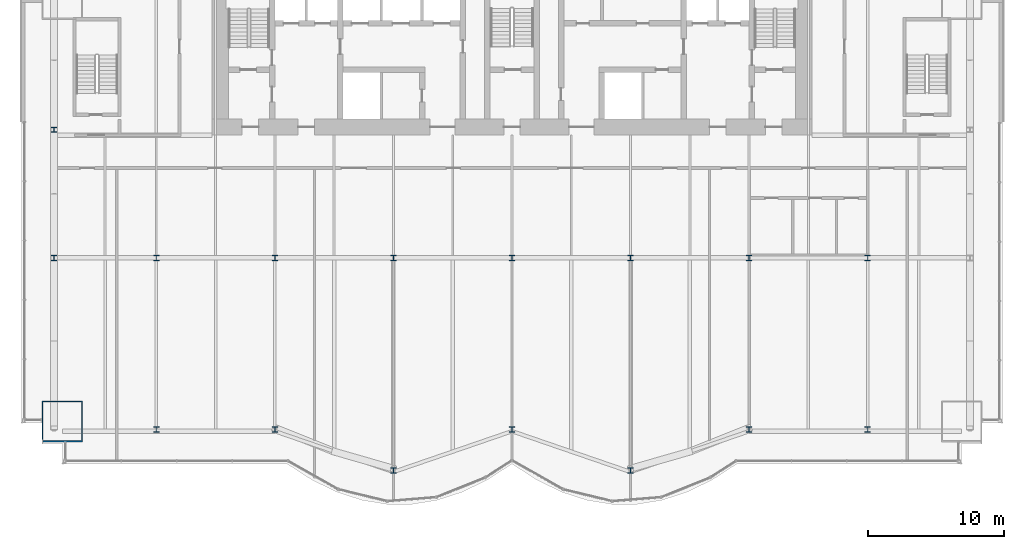
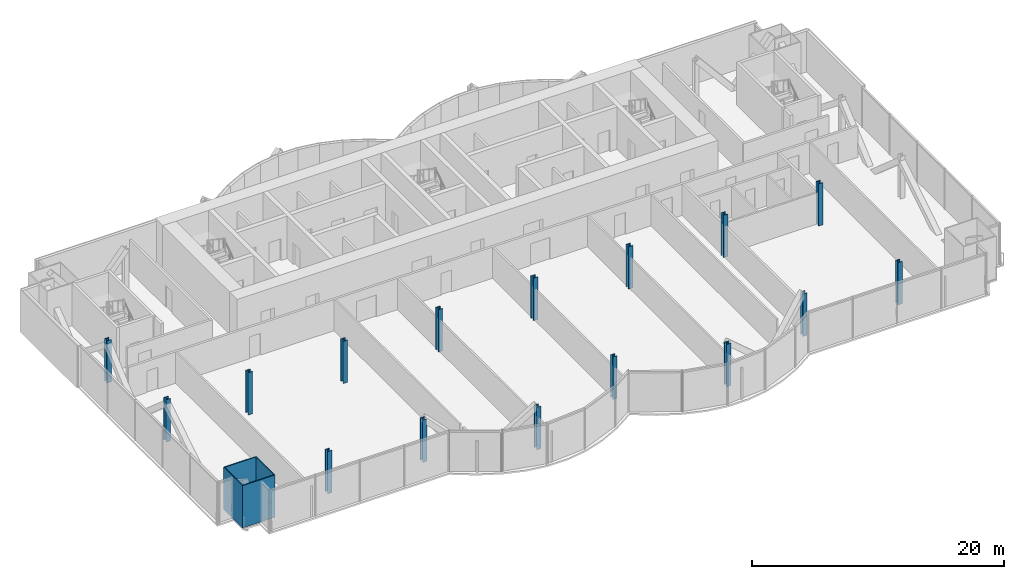
# One storey, part 1 of 21: 17 columns.
"""IFC4 building model written with IfcOpenShell, lengths in metres."""

from ifc_helpers import new_model, si_unit, direction, frame, origin, origin_2d, place, context, subcontext, project, spatial, hollow_rectangle, i_section, extrude, material, material_profile, profile_set, type_object, element, save


model = new_model("IFC4")

# Units and contexts
model_context = context("Model", 3, precision=1e-05, world=origin(), true_north=direction((0.0, 1.0)))
body_context = subcontext(model_context, "Body", "Model", "MODEL_VIEW")
ifc_project = project(units=[si_unit("LENGTHUNIT", "METRE"), si_unit("AREAUNIT", "SQUARE_METRE"), si_unit("VOLUMEUNIT", "CUBIC_METRE"), si_unit("PLANEANGLEUNIT", "RADIAN"), si_unit("MASSUNIT", "GRAM", prefix="KILO")], contexts=[model_context])

# Site, building, storey
site_placement = place(None, origin())
site = spatial("IfcSite", under=ifc_project, at=site_placement, CompositionType="ELEMENT")
building_placement = place(site_placement, origin())
building = spatial("IfcBuilding", under=site, at=building_placement, Name="Bicima Exchange Tower", CompositionType="ELEMENT")
storey_placement = place(building_placement, frame((0.0, 0.0, 122.699951171875)))
storey = spatial("IfcBuildingStorey", under=building, at=storey_placement, Name="L26", CompositionType="ELEMENT", Elevation=122.699951171875)

# Columns
ifc_material_1 = material(Name="Steel ASTM A992 Gr 50", Category="steel")
ifc_material_profile_1 = material_profile(ifc_material_1, i_section(OverallWidth=0.406494140625, OverallDepth=0.41650390625, WebThickness=0.030029296875, FlangeThickness=0.048095703125, at=origin_2d()))
ifc_profile_set_1 = profile_set([ifc_material_profile_1], Name="Steel ASTM A992 Gr 50")
column_type_1 = type_object("IfcColumnType", Name="Interior column W14x257", PredefinedType="COLUMN", material=ifc_profile_set_1)
for number, where, z_axis, x_axis, name in (
    (1, (-26.10009765625, -22.0, 0.0), (0.0, 0.0, 1.0), (1.0, 0.0, 0.0), "Interior column interior-26.1i"),
    (2, (-17.39990234375, -22.0, 0.0), (0.0, 0.0, 1.0), (1.0, 0.0, 0.0), "Interior column interior-17.4i"),
    (3, (-8.699951171875, -22.0, 0.0), (0.0, 0.0, 1.0), (1.0, 0.0, 0.0), "Interior column interior-8.7i"),
    (4, (0.0, -22.0, 0.0), (0.0, 0.0, 1.0), (1.0, 0.0, 0.0), "Interior column interior+0.0i"),
    (5, (8.699951171875, -22.0, 0.0), (0.0, 0.0, 1.0), (1.0, 0.0, 0.0), "Interior column interior+8.7i"),
    (6, (17.39990234375, -22.0, 0.0), (0.0, 0.0, 1.0), (1.0, 0.0, 0.0), "Interior column interior+17.4i"),
    (7, (26.10009765625, -22.0, 0.0), (0.0, 0.0, 1.0), (1.0, 0.0, 0.0), "Interior column interior+26.1i"),
):
    element("IfcColumn", number, at=place(storey_placement, frame(where, z_axis=z_axis, x_axis=x_axis)), inside=storey, type_object=column_type_1, Name=name, PredefinedType="COLUMN", context=body_context, shape_type="SweptSolid", body=[
        extrude(i_section(OverallWidth=0.406494140625, OverallDepth=0.41650390625, WebThickness=0.030029296875, FlangeThickness=0.048095703125, at=origin_2d()), origin(), (0.0, 0.0, 1.0), 4.10009765625),
    ])
ifc_material_2 = material(Name="Steel ASTM A572 Gr 50", Category="steel")
ifc_material_profile_2 = material_profile(ifc_material_2, hollow_rectangle(XDim=3.0, YDim=3.0, WallThickness=0.090087890625, at=origin_2d()))
ifc_profile_set_2 = profile_set([ifc_material_profile_2], Name="Steel ASTM A572 Gr 50")
column_type_2 = type_object("IfcColumnType", Name="Mega column BOX 3000x3000x90", PredefinedType="COLUMN", material=ifc_profile_set_2)
column_placement = place(storey_placement, frame((-33.0, -33.998046875, 0.0), z_axis=(0.0, 0.0, 1.0), x_axis=(1.0, 0.0, 0.0)))
element("IfcColumn", 8, at=column_placement, inside=storey, type_object=column_type_2, Name="Mega column mega-33.0f", PredefinedType="COLUMN", context=body_context, shape_type="SweptSolid", body=[
    extrude(hollow_rectangle(XDim=3.0, YDim=3.0, WallThickness=0.090087890625, at=origin_2d()), origin(), (0.0, 0.0, 1.0), 4.10009765625),
])
ifc_material_profile_3 = material_profile(ifc_material_1, i_section(OverallWidth=0.398681640625, OverallDepth=0.393798828125, WebThickness=0.022705078125, FlangeThickness=0.03662109375, at=origin_2d()))
ifc_profile_set_3 = profile_set([ifc_material_profile_3], Name="Steel ASTM A992 Gr 50")
column_type_3 = type_object("IfcColumnType", Name="Perimeter column W14x193", PredefinedType="COLUMN", material=ifc_profile_set_3)
for number, where, z_axis, x_axis, name in (
    (9, (-26.10009765625, -34.597900390625, 0.0), (0.0, 0.0, 1.0), (1.0, 0.0, 0.0), "Perimeter column grav-26.1f"),
    (10, (-17.39990234375, -34.597900390625, 0.0), (0.0, 0.0, 1.0), (1.0, 0.0, 0.0), "Perimeter column grav-17.4f"),
    (11, (-8.699951171875, -37.589111328125, 0.0), (0.0, 0.0, 1.0), (1.0, 0.0, 0.0), "Perimeter column grav-8.7f"),
    (12, (0.0, -34.597900390625, 0.0), (0.0, 0.0, 1.0), (1.0, 0.0, 0.0), "Perimeter column grav-0.0f"),
    (13, (8.699951171875, -37.589111328125, 0.0), (0.0, 0.0, 1.0), (1.0, 0.0, 0.0), "Perimeter column grav+8.7f"),
    (14, (17.39990234375, -34.597900390625, 0.0), (0.0, 0.0, 1.0), (1.0, 0.0, 0.0), "Perimeter column grav+17.4f"),
    (15, (26.10009765625, -34.597900390625, 0.0), (0.0, 0.0, 1.0), (1.0, 0.0, 0.0), "Perimeter column grav+26.1f"),
    (16, (-33.60009765625, -12.60009765625, 0.0), (0.0, 0.0, 1.0), (1.0, 0.0, 0.0), "End column end-33.6e"),
    (17, (-33.60009765625, -22.0, 0.0), (0.0, 0.0, 1.0), (1.0, 0.0, 0.0), "End column end-33.6e"),
):
    element("IfcColumn", number, at=place(storey_placement, frame(where, z_axis=z_axis, x_axis=x_axis)), inside=storey, type_object=column_type_3, Name=name, PredefinedType="COLUMN", context=body_context, shape_type="SweptSolid", body=[
        extrude(i_section(OverallWidth=0.398681640625, OverallDepth=0.393798828125, WebThickness=0.022705078125, FlangeThickness=0.03662109375, at=origin_2d()), origin(), (0.0, 0.0, 1.0), 4.10009765625),
    ])

save(model, "model.ifc")
